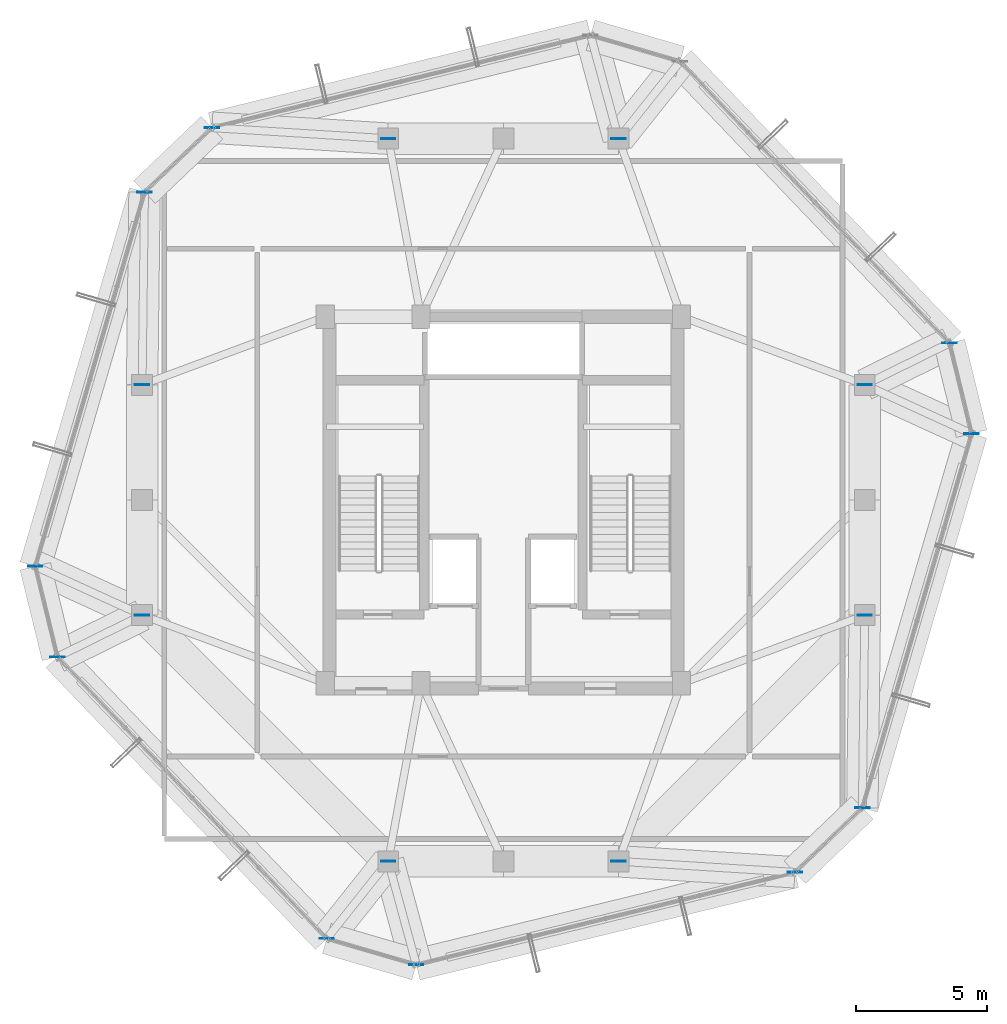
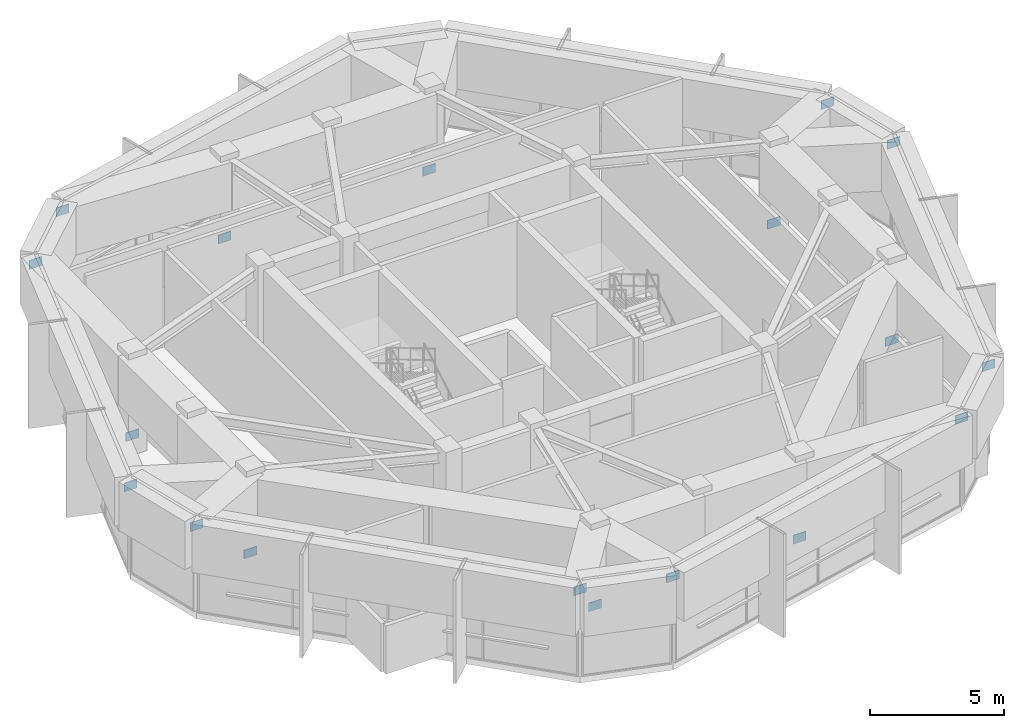
# One storey, part 35 of 39: 18 plates.
"""IFC4 building model written with IfcOpenShell, lengths in metres."""

from ifc_helpers import new_model, si_unit, direction, frame, origin, origin_2d, place, context, subcontext, project, spatial, rectangle, extrude, source, transform, mapped, material, layer, layer_set, type_object, element, save


model = new_model("IFC4")

# Units and contexts
model_context = context("Model", 3, precision=1e-05, world=origin(), true_north=direction((0.0, 1.0)))
body_context = subcontext(model_context, "Body", "Model", "MODEL_VIEW")
ifc_project = project(units=[si_unit("LENGTHUNIT", "METRE"), si_unit("AREAUNIT", "SQUARE_METRE"), si_unit("VOLUMEUNIT", "CUBIC_METRE"), si_unit("PLANEANGLEUNIT", "RADIAN"), si_unit("MASSUNIT", "GRAM", prefix="KILO")], contexts=[model_context])

# Site, building, storey
site_placement = place(None, origin())
site = spatial("IfcSite", under=ifc_project, at=site_placement, CompositionType="ELEMENT")
building_placement = place(site_placement, origin())
building = spatial("IfcBuilding", under=site, at=building_placement, Name="Veraguas Prism Commons", CompositionType="ELEMENT")
storey_placement = place(building_placement, frame((0.0, 0.0, 264.25)))
storey = spatial("IfcBuildingStorey", under=building, at=storey_placement, Name="L75", CompositionType="ELEMENT", Elevation=264.25)

# Plates
ifc_material = material(Name="Steel ASTM A572 Grade 50", Category="steel")
ifc_layer = layer(ifc_material, 0.030029296875, Name="Hollow Brace End Cap Plate 550x400x30", Category="steel")
ifc_layer_set = layer_set([ifc_layer], Name="Steel ASTM A572 Grade 50")
plate_type = type_object("IfcPlateType", Name="Hollow Brace End Cap Plate 550x400x30", PredefinedType="USERDEFINED", material=ifc_layer_set)
shared_shape = source(origin(), body_context, "Body", "SweptSolid", [
    extrude(rectangle(XDim=0.550048828125, YDim=0.030029296875, at=origin_2d()), origin(), (0.0, 0.0, 1.0), 0.39990234375),
])
for number, where, z_axis, x_axis, name in (
    (1, (37.800048828125, 28.39990234375, 0.400146484375), (0.0, 0.0, 1.0), (1.0, 0.0, 0.0), "Crown Raker Foot Gusset Plate L75-01"),
    (2, (41.88134765625, 26.531982421875, 3.739990234375), (0.0, 0.0, 1.0), (1.0, 0.0, 0.0), "Crown Raker Head Gusset Plate L75-01"),
    (3, (41.036376953125, 29.992919921875, 3.739990234375), (0.0, 0.0, 1.0), (1.0, 0.0, 0.0), "Crown Raker Head Gusset Plate L75-02"),
    (4, (28.39990234375, 37.800048828125, 0.400146484375), (0.0, 0.0, 1.0), (1.0, 0.0, 0.0), "Crown Raker Foot Gusset Plate L75-03"),
    (5, (19.60009765625, 37.800048828125, 0.400146484375), (0.0, 0.0, 1.0), (1.0, 0.0, 0.0), "Crown Raker Foot Gusset Plate L75-05"),
    (6, (12.86669921875, 38.219482421875, 3.739990234375), (0.0, 0.0, 1.0), (1.0, 0.0, 0.0), "Crown Raker Head Gusset Plate L75-05"),
    (7, (10.199951171875, 28.39990234375, 0.400146484375), (0.0, 0.0, 1.0), (1.0, 0.0, 0.0), "Crown Raker Foot Gusset Plate L75-06"),
    (8, (10.2919921875, 35.757568359375, 3.739990234375), (0.0, 0.0, 1.0), (1.0, 0.0, 0.0), "Crown Raker Head Gusset Plate L75-06"),
    (9, (10.199951171875, 19.60009765625, 0.400146484375), (0.0, 0.0, 1.0), (1.0, 0.0, 0.0), "Crown Raker Foot Gusset Plate L75-07"),
    (10, (6.11865234375, 21.468017578125, 3.739990234375), (0.0, 0.0, 1.0), (1.0, 0.0, 0.0), "Crown Raker Head Gusset Plate L75-07"),
    (11, (6.963623046875, 18.007080078125, 3.739990234375), (0.0, 0.0, 1.0), (1.0, 0.0, 0.0), "Crown Raker Head Gusset Plate L75-08"),
    (12, (19.60009765625, 10.199951171875, 0.400146484375), (0.0, 0.0, 1.0), (1.0, 0.0, 0.0), "Crown Raker Foot Gusset Plate L75-09"),
    (13, (17.252197265625, 7.248291015625, 3.739990234375), (0.0, 0.0, 1.0), (1.0, 0.0, 0.0), "Crown Raker Head Gusset Plate L75-09"),
    (14, (20.671875, 6.249755859375, 3.739990234375), (0.0, 0.0, 1.0), (1.0, 0.0, 0.0), "Crown Raker Head Gusset Plate L75-10"),
    (15, (28.39990234375, 10.199951171875, 0.400146484375), (0.0, 0.0, 1.0), (1.0, 0.0, 0.0), "Crown Raker Foot Gusset Plate L75-11"),
    (16, (35.13330078125, 9.780517578125, 3.739990234375), (0.0, 0.0, 1.0), (1.0, 0.0, 0.0), "Crown Raker Head Gusset Plate L75-11"),
    (17, (37.800048828125, 19.60009765625, 0.400146484375), (0.0, 0.0, 1.0), (1.0, 0.0, 0.0), "Crown Raker Foot Gusset Plate L75-12"),
    (18, (37.7080078125, 12.242431640625, 3.739990234375), (0.0, 0.0, 1.0), (1.0, 0.0, 0.0), "Crown Raker Head Gusset Plate L75-12"),
):
    element("IfcPlate", number, at=place(storey_placement, frame(where, z_axis=z_axis, x_axis=x_axis)), inside=storey, type_object=plate_type, Name=name, ObjectType="STIFFENER PLATE", PredefinedType="USERDEFINED", context=body_context, shape_type="MappedRepresentation", body=[
        mapped(shared_shape, transform((0.0, 0.0, 0.0), scale=1.0)),
    ])

save(model, "model.ifc")
